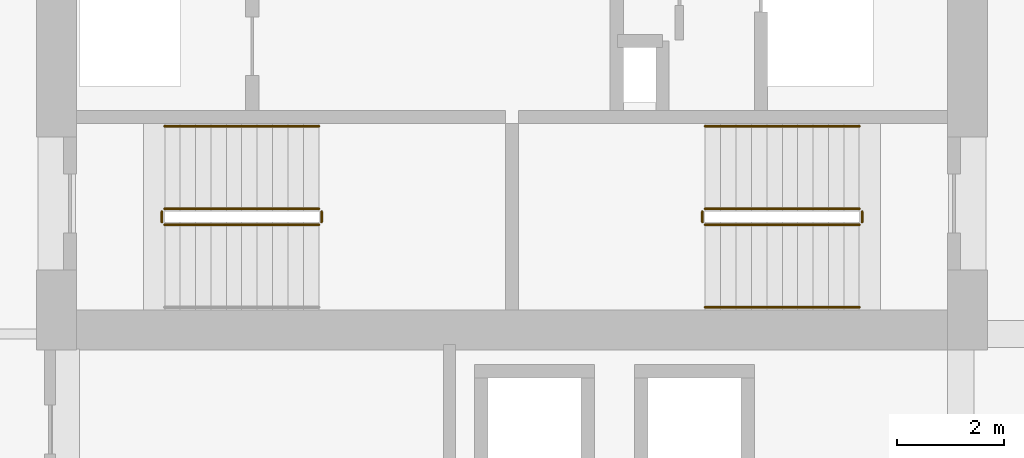
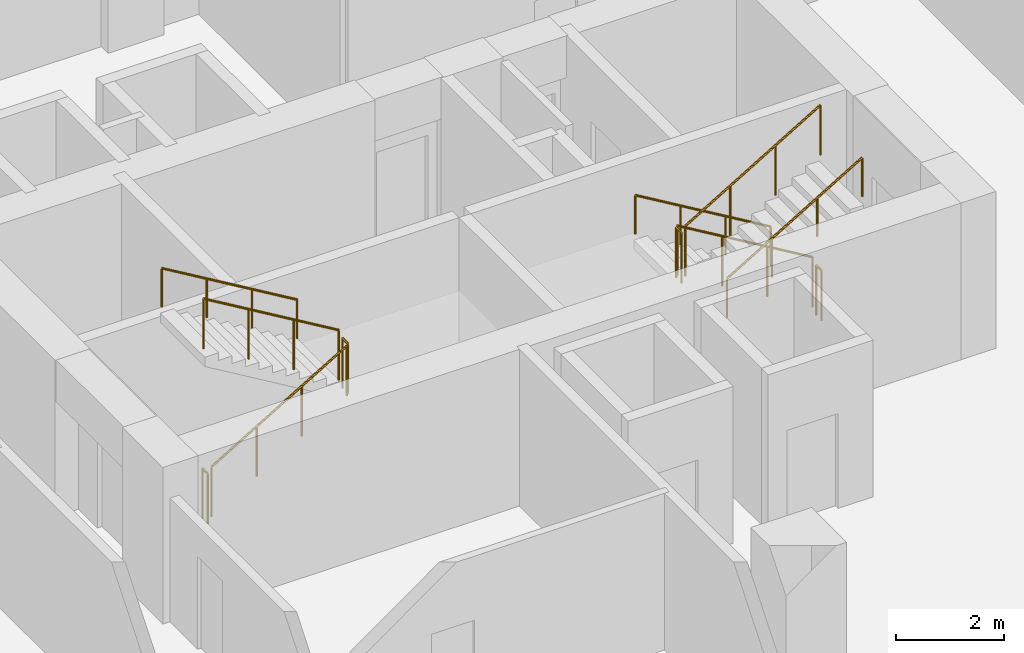
# One storey, part 18 of 20: 11 railings.
"""IFC4 building model written with IfcOpenShell, lengths in metres."""

from ifc_helpers import new_model, si_unit, direction, frame, origin, origin_2d, place, context, subcontext, project, spatial, circle, extrude, material, type_object, element, save


model = new_model("IFC4")

# Units and contexts
model_context = context("Model", 3, precision=1e-05, world=origin(), true_north=direction((0.0, 1.0)))
body_context = subcontext(model_context, "Body", "Model", "MODEL_VIEW")
ifc_project = project(units=[si_unit("LENGTHUNIT", "METRE"), si_unit("AREAUNIT", "SQUARE_METRE"), si_unit("VOLUMEUNIT", "CUBIC_METRE"), si_unit("PLANEANGLEUNIT", "RADIAN"), si_unit("MASSUNIT", "GRAM", prefix="KILO")], contexts=[model_context])

# Site, building, storey
site_placement = place(None, origin())
site = spatial("IfcSite", under=ifc_project, at=site_placement, CompositionType="ELEMENT")
building_placement = place(site_placement, origin())
building = spatial("IfcBuilding", under=site, at=building_placement, Name="Koriwani Terraces Tower", CompositionType="ELEMENT")
storey_placement = place(building_placement, frame((0.0, 0.0, 126.60009765625)))
storey = spatial("IfcBuildingStorey", under=building, at=storey_placement, Name="L30", CompositionType="ELEMENT", Elevation=126.60009765625)

# Railings
ifc_material = material(Name="Steel ASTM A572 Grade 50", Category="steel")
railing_type_1 = type_object("IfcRailingType", Name="GUARD_STAIR_WELL_1120", PredefinedType="GUARDRAIL", material=ifc_material)
railing_1_placement = place(storey_placement, frame((43.85009765625, 18.85009765625, 0.172607421875)))
element("IfcRailing", 1, at=railing_1_placement, inside=storey, type_object=railing_type_1, Name="L30 ST-E1 stair guard 1", PredefinedType="GUARDRAIL", context=body_context, shape_type="SweptSolid", body=[
    extrude(circle(Radius=0.02392578125, at=origin_2d()), frame((0.0, 0.0, 1.1259765625), z_axis=(0.859141464434, 0.0, 0.511738159696), x_axis=(0.0, 1.0, 0.0)), (0.0, 0.0, 1.0), 3.375244140625),
    extrude(circle(Radius=0.02099609375, at=origin_2d()), origin(), (0.0, 0.0, 1.0), 1.101806640625),
    extrude(circle(Radius=0.02099609375, at=origin_2d()), frame((0.966552734375, 0.0, 0.57568359375)), (0.0, 0.0, 1.0), 1.101806640625),
    extrude(circle(Radius=0.02099609375, at=origin_2d()), frame((1.933349609375, 0.0, 1.151611328125)), (0.0, 0.0, 1.0), 1.101806640625),
    extrude(circle(Radius=0.02099609375, at=origin_2d()), frame((2.89990234375, 0.0, 1.727294921875)), (0.0, 0.0, 1.0), 1.101806640625),
])
railing_2_placement = place(storey_placement, frame((46.800048828125, 18.89990234375, 1.89990234375)))
element("IfcRailing", 2, at=railing_2_placement, inside=storey, type_object=railing_type_1, Name="L30 ST-E1 stair guard 2", PredefinedType="GUARDRAIL", context=body_context, shape_type="SweptSolid", body=[
    extrude(circle(Radius=0.02392578125, at=origin_2d()), frame((0.0, 0.0, 1.1259765625), z_axis=(0.0, 1.0, 0.0), x_axis=(-1.0, 0.0, 0.0)), (0.0, 0.0, 1.0), 0.2001953125),
    extrude(circle(Radius=0.02099609375, at=origin_2d()), origin(), (0.0, 0.0, 1.0), 1.101806640625),
    extrude(circle(Radius=0.02099609375, at=origin_2d()), frame((0.0, 0.2001953125, 0.0)), (0.0, 0.0, 1.0), 1.101806640625),
])
railing_3_placement = place(storey_placement, frame((46.75, 19.14990234375, 2.072509765625)))
element("IfcRailing", 3, at=railing_3_placement, inside=storey, type_object=railing_type_1, Name="L30 ST-E1 stair guard 3", PredefinedType="GUARDRAIL", context=body_context, shape_type="SweptSolid", body=[
    extrude(circle(Radius=0.02392578125, at=origin_2d()), frame((0.0, 0.0, 1.1259765625), z_axis=(-0.859141464434, 0.0, 0.511738159696), x_axis=(0.0, -1.0, 0.0)), (0.0, 0.0, 1.0), 3.375244140625),
    extrude(circle(Radius=0.02099609375, at=origin_2d()), origin(), (0.0, 0.0, 1.0), 1.101806640625),
    extrude(circle(Radius=0.02099609375, at=origin_2d()), frame((-0.966552734375, 0.0, 0.57568359375)), (0.0, 0.0, 1.0), 1.101806640625),
    extrude(circle(Radius=0.02099609375, at=origin_2d()), frame((-1.933349609375, 0.0, 1.151611328125)), (0.0, 0.0, 1.0), 1.101806640625),
    extrude(circle(Radius=0.02099609375, at=origin_2d()), frame((-2.89990234375, 0.0, 1.727294921875)), (0.0, 0.0, 1.0), 1.101806640625),
])
railing_4_placement = place(storey_placement, frame((43.800048828125, 18.89990234375, 0.0)))
element("IfcRailing", 4, at=railing_4_placement, inside=storey, type_object=railing_type_1, Name="L30 ST-E1 stair guard 4", PredefinedType="GUARDRAIL", context=body_context, shape_type="SweptSolid", body=[
    extrude(circle(Radius=0.02392578125, at=origin_2d()), frame((0.0, 0.0, 1.1259765625), z_axis=(0.0, 1.0, 0.0), x_axis=(-1.0, 0.0, 0.0)), (0.0, 0.0, 1.0), 0.2001953125),
    extrude(circle(Radius=0.02099609375, at=origin_2d()), origin(), (0.0, 0.0, 1.0), 1.101806640625),
    extrude(circle(Radius=0.02099609375, at=origin_2d()), frame((0.0, 0.2001953125, 0.0)), (0.0, 0.0, 1.0), 1.101806640625),
])
railing_5_placement = place(storey_placement, frame((56.89990234375, 19.14990234375, 0.172607421875)))
element("IfcRailing", 5, at=railing_5_placement, inside=storey, type_object=railing_type_1, Name="L30 ST-E2 stair guard 1", PredefinedType="GUARDRAIL", context=body_context, shape_type="SweptSolid", body=[
    extrude(circle(Radius=0.02392578125, at=origin_2d()), frame((0.0, 0.0, 1.1259765625), z_axis=(-0.859141464434, 0.0, 0.511738159696), x_axis=(0.0, -1.0, 0.0)), (0.0, 0.0, 1.0), 3.375244140625),
    extrude(circle(Radius=0.02099609375, at=origin_2d()), origin(), (0.0, 0.0, 1.0), 1.101806640625),
    extrude(circle(Radius=0.02099609375, at=origin_2d()), frame((-0.966552734375, 0.0, 0.57568359375)), (0.0, 0.0, 1.0), 1.101806640625),
    extrude(circle(Radius=0.02099609375, at=origin_2d()), frame((-1.933349609375, 0.0, 1.151611328125)), (0.0, 0.0, 1.0), 1.101806640625),
    extrude(circle(Radius=0.02099609375, at=origin_2d()), frame((-2.89990234375, 0.0, 1.727294921875)), (0.0, 0.0, 1.0), 1.101806640625),
])
railing_6_placement = place(storey_placement, frame((53.949951171875, 19.10009765625, 1.89990234375)))
element("IfcRailing", 6, at=railing_6_placement, inside=storey, type_object=railing_type_1, Name="L30 ST-E2 stair guard 2", PredefinedType="GUARDRAIL", context=body_context, shape_type="SweptSolid", body=[
    extrude(circle(Radius=0.02392578125, at=origin_2d()), frame((0.0, 0.0, 1.1259765625), z_axis=(0.0, -1.0, 0.0), x_axis=(1.0, 0.0, 0.0)), (0.0, 0.0, 1.0), 0.2001953125),
    extrude(circle(Radius=0.02099609375, at=origin_2d()), origin(), (0.0, 0.0, 1.0), 1.101806640625),
    extrude(circle(Radius=0.02099609375, at=origin_2d()), frame((0.0, -0.2001953125, 0.0)), (0.0, 0.0, 1.0), 1.101806640625),
])
railing_7_placement = place(storey_placement, frame((54.0, 18.85009765625, 2.072509765625)))
element("IfcRailing", 7, at=railing_7_placement, inside=storey, type_object=railing_type_1, Name="L30 ST-E2 stair guard 3", PredefinedType="GUARDRAIL", context=body_context, shape_type="SweptSolid", body=[
    extrude(circle(Radius=0.02392578125, at=origin_2d()), frame((0.0, 0.0, 1.1259765625), z_axis=(0.859141464434, 0.0, 0.511738159696), x_axis=(0.0, 1.0, 0.0)), (0.0, 0.0, 1.0), 3.375244140625),
    extrude(circle(Radius=0.02099609375, at=origin_2d()), origin(), (0.0, 0.0, 1.0), 1.101806640625),
    extrude(circle(Radius=0.02099609375, at=origin_2d()), frame((0.966552734375, 0.0, 0.57568359375)), (0.0, 0.0, 1.0), 1.101806640625),
    extrude(circle(Radius=0.02099609375, at=origin_2d()), frame((1.933349609375, 0.0, 1.151611328125)), (0.0, 0.0, 1.0), 1.101806640625),
    extrude(circle(Radius=0.02099609375, at=origin_2d()), frame((2.89990234375, 0.0, 1.727294921875)), (0.0, 0.0, 1.0), 1.101806640625),
])
railing_8_placement = place(storey_placement, frame((56.949951171875, 19.10009765625, 0.0)))
element("IfcRailing", 8, at=railing_8_placement, inside=storey, type_object=railing_type_1, Name="L30 ST-E2 stair guard 4", PredefinedType="GUARDRAIL", context=body_context, shape_type="SweptSolid", body=[
    extrude(circle(Radius=0.02392578125, at=origin_2d()), frame((0.0, 0.0, 1.1259765625), z_axis=(0.0, -1.0, 0.0), x_axis=(1.0, 0.0, 0.0)), (0.0, 0.0, 1.0), 0.2001953125),
    extrude(circle(Radius=0.02099609375, at=origin_2d()), origin(), (0.0, 0.0, 1.0), 1.101806640625),
    extrude(circle(Radius=0.02099609375, at=origin_2d()), frame((0.0, -0.2001953125, 0.0)), (0.0, 0.0, 1.0), 1.101806640625),
])
railing_type_2 = type_object("IfcRailingType", Name="HANDRAIL_STAIR_920", PredefinedType="HANDRAIL", material=ifc_material)
for number, where, name in (
    (9, (46.75, 20.699951171875, 2.072509765625), "L30 ST-E1 stair handrail 2"),
    (10, (56.89990234375, 20.699951171875, 0.172607421875), "L30 ST-E2 stair handrail 1"),
):
    element("IfcRailing", number, at=place(storey_placement, frame(where)), inside=storey, type_object=railing_type_2, Name=name, PredefinedType="HANDRAIL", context=body_context, shape_type="SweptSolid", body=[
        extrude(circle(Radius=0.02392578125, at=origin_2d()), frame((0.0, 0.0, 0.8759765625), z_axis=(-0.859141464434, 0.0, 0.511738159696), x_axis=(0.0, -1.0, 0.0)), (0.0, 0.0, 1.0), 3.375244140625),
        extrude(circle(Radius=0.02099609375, at=origin_2d()), origin(), (0.0, 0.0, 1.0), 0.851806640625),
        extrude(circle(Radius=0.02099609375, at=origin_2d()), frame((-0.966552734375, 0.0, 0.57568359375)), (0.0, 0.0, 1.0), 0.851806640625),
        extrude(circle(Radius=0.02099609375, at=origin_2d()), frame((-1.933349609375, 0.0, 1.151611328125)), (0.0, 0.0, 1.0), 0.851806640625),
        extrude(circle(Radius=0.02099609375, at=origin_2d()), frame((-2.89990234375, 0.0, 1.727294921875)), (0.0, 0.0, 1.0), 0.851806640625),
    ])
railing_9_placement = place(storey_placement, frame((54.0, 17.300048828125, 2.072509765625)))
element("IfcRailing", 11, at=railing_9_placement, inside=storey, type_object=railing_type_2, Name="L30 ST-E2 stair handrail 2", PredefinedType="HANDRAIL", context=body_context, shape_type="SweptSolid", body=[
    extrude(circle(Radius=0.02392578125, at=origin_2d()), frame((0.0, 0.0, 0.8759765625), z_axis=(0.859141464434, 0.0, 0.511738159696), x_axis=(0.0, 1.0, 0.0)), (0.0, 0.0, 1.0), 3.375244140625),
    extrude(circle(Radius=0.02099609375, at=origin_2d()), origin(), (0.0, 0.0, 1.0), 0.851806640625),
    extrude(circle(Radius=0.02099609375, at=origin_2d()), frame((0.966552734375, 0.0, 0.57568359375)), (0.0, 0.0, 1.0), 0.851806640625),
    extrude(circle(Radius=0.02099609375, at=origin_2d()), frame((1.933349609375, 0.0, 1.151611328125)), (0.0, 0.0, 1.0), 0.851806640625),
    extrude(circle(Radius=0.02099609375, at=origin_2d()), frame((2.89990234375, 0.0, 1.727294921875)), (0.0, 0.0, 1.0), 0.851806640625),
])

save(model, "model.ifc")
